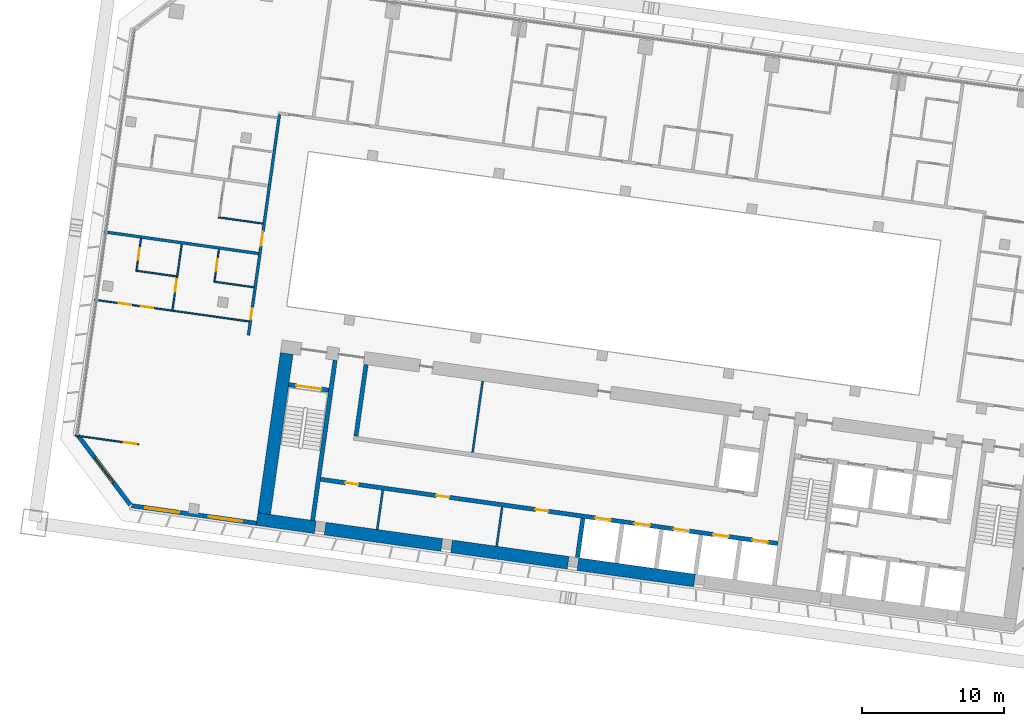
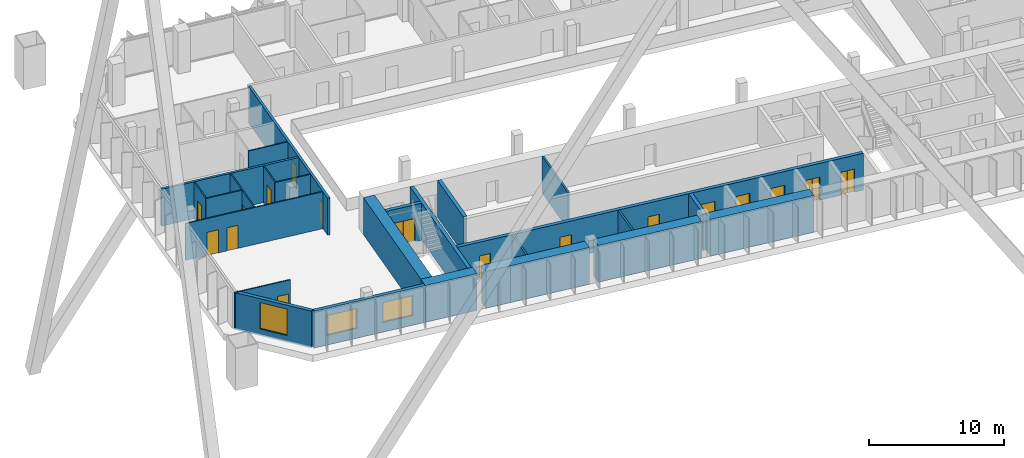
# One storey, part 38 of 49: 25 walls, 17 doors, 3 windows, 20 openings.
"""IFC4 building model written with IfcOpenShell, lengths in metres."""

from ifc_helpers import new_model, si_unit, direction, frame, frame_2d, origin, place, context, subcontext, project, spatial, rectangle, extrude, material, layer, layer_set, type_object, element, fill, save


model = new_model("IFC4")

# Units and contexts
model_context = context("Model", 3, precision=1e-05, world=origin(), true_north=direction((0.0, 1.0)))
body_context = subcontext(model_context, "Body", "Model", "MODEL_VIEW")
ifc_project = project(units=[si_unit("LENGTHUNIT", "METRE"), si_unit("AREAUNIT", "SQUARE_METRE"), si_unit("VOLUMEUNIT", "CUBIC_METRE"), si_unit("PLANEANGLEUNIT", "RADIAN"), si_unit("MASSUNIT", "GRAM", prefix="KILO")], contexts=[model_context])

# Site, building, storey
site_placement = place(None, origin())
site = spatial("IfcSite", under=ifc_project, at=site_placement, CompositionType="ELEMENT")
building_placement = place(site_placement, origin())
building = spatial("IfcBuilding", under=site, at=building_placement, Name="Mirante Cascada Hotel Towers", CompositionType="ELEMENT")
storey_placement = place(building_placement, frame((0.0, 0.0, 66.1)))
storey = spatial("IfcBuildingStorey", under=building, at=storey_placement, Name="L13", CompositionType="ELEMENT", Elevation=66.1)

# Wall
ifc_material_1 = material(Name="Fire-rated plasterboard on metal studs")
ifc_layer_1 = layer(ifc_material_1, 0.2)
ifc_layer_set_1 = layer_set([ifc_layer_1], Name="Compartment wall 200 EI 120")
wall_type_1 = type_object("IfcWallType", Name="Compartment wall 200 EI 120", PredefinedType="PARTITIONING", material=ifc_layer_set_1)
wall_1_placement = place(storey_placement, frame((-90.4064, 6.4896, 0.0), z_axis=(0.0, 0.0, 1.0), x_axis=(-0.990268, 0.1391733, 0.0)))
element("IfcWall", 1, at=wall_1_placement, inside=storey, type_object=wall_type_1, Name="Wall 1-L13-08", PredefinedType="PARTITIONING", context=body_context, shape_type="SweptSolid", body=[
    extrude(rectangle(XDim=11.0, YDim=0.2, at=frame_2d((5.5, 0.0))), origin(), (0.0, 0.0, 1.0), 3.35),
])

# Wall, openings, doors
wall_2_placement = place(storey_placement, frame((-88.9295, 16.2793, 0.0), z_axis=(0.0, 0.0, 1.0), x_axis=(-0.1391721, -0.9902682, 0.0)))
wall_2 = element("IfcWall", 2, at=wall_2_placement, inside=storey, type_object=wall_type_1, Name="Wall 1-L13-55", PredefinedType="PARTITIONING", context=body_context, shape_type="SweptSolid", body=[
    extrude(rectangle(XDim=15.7, YDim=0.2, at=frame_2d((7.85, 0.0))), origin(), (0.0, 0.0, 1.0), 3.35),
])
opening_1_placement = place(wall_2_placement, frame((13.7833, 0.0, 0.0)))
opening_1 = element("IfcOpeningElement", 3, at=opening_1_placement, cuts=wall_2, Name="Opening D1-L13-38", PredefinedType="OPENING", context=body_context, shape_type="SweptSolid", body=[
    extrude(rectangle(XDim=0.8, YDim=2.1, at=frame_2d((0.4, 1.05))), frame((0.0, 0.1, 0.0), z_axis=(0.0, -1.0, 0.0), x_axis=(1.0, 0.0, 0.0)), (0.0, 0.0, 1.0), 0.2),
])
opening_2_placement = place(wall_2_placement, frame((8.3333, 0.0, 0.0)))
opening_2 = element("IfcOpeningElement", 4, at=opening_2_placement, cuts=wall_2, Name="Opening D1-L13-39", PredefinedType="OPENING", context=body_context, shape_type="SweptSolid", body=[
    extrude(rectangle(XDim=1.0, YDim=2.1, at=frame_2d((0.5, 1.05))), frame((0.0, 0.1, 0.0), z_axis=(0.0, -1.0, 0.0), x_axis=(1.0, 0.0, 0.0)), (0.0, 0.0, 1.0), 0.2),
])
ifc_material_2 = material(Name="Fire-rated timber door leaf", Category="wood")
door_type_1 = type_object("IfcDoorType", Name="Bathroom door DG4 800x2100 EI 60", OperationType="SINGLE_SWING_LEFT", PredefinedType="DOOR", material=ifc_material_2)
door_1_placement = place(opening_1_placement, origin())
door_1 = element("IfcDoor", 5, at=door_1_placement, inside=storey, type_object=door_type_1, Name="Door D1-L13-38", OperationType="SINGLE_SWING_LEFT", OverallHeight=2.1, OverallWidth=0.8, PredefinedType="DOOR", context=body_context, shape_type="SweptSolid", body=[
    extrude(rectangle(XDim=0.8, YDim=2.1, at=frame_2d((0.4, 1.05))), frame((0.0, 0.025, 0.0), z_axis=(0.0, -1.0, 0.0), x_axis=(1.0, 0.0, 0.0)), (0.0, 0.0, 1.0), 0.05),
])
fill(opening_1, door_1)
ifc_material_3 = material(Name="Fire-rated timber door leaf", Category="wood")
door_type_2 = type_object("IfcDoorType", Name="Entrance door DG1 1000x2100 EI 60", OperationType="SINGLE_SWING_LEFT", PredefinedType="DOOR", material=ifc_material_3)
door_2_placement = place(opening_2_placement, frame((1.0, 0.0, 0.0), z_axis=(0.0, 0.0, 1.0), x_axis=(-1.0, 0.0, 0.0)))
door_2 = element("IfcDoor", 6, at=door_2_placement, inside=storey, type_object=door_type_2, Name="Door D1-L13-39", OperationType="SINGLE_SWING_RIGHT", OverallHeight=2.1, OverallWidth=1.0, PredefinedType="DOOR", context=body_context, shape_type="SweptSolid", body=[
    extrude(rectangle(XDim=1.0, YDim=2.1, at=frame_2d((0.5, 1.05))), frame((0.0, 0.025, 0.0), z_axis=(0.0, -1.0, 0.0), x_axis=(1.0, 0.0, 0.0)), (0.0, 0.0, 1.0), 0.05),
])
fill(opening_2, door_2)

# Walls
ifc_material_4 = material(Name="Masonry block", Category="masonry")
ifc_layer_2 = layer(ifc_material_4, 0.15)
ifc_layer_set_2 = layer_set([ifc_layer_2], Name="Core room partition 150 block EI 30")
wall_type_2 = type_object("IfcWallType", Name="Core room partition 150 block EI 30", PredefinedType="PARTITIONING", material=ifc_layer_set_2)
wall_3_placement = place(storey_placement, frame((-73.6152, -14.1482, 0.0), z_axis=(0.0, 0.0, 1.0), x_axis=(0.139176, 0.9902677, 0.0)))
element("IfcWall", 7, at=wall_3_placement, inside=storey, type_object=wall_type_2, Name="Core wall partition T1 L13 4", PredefinedType="PARTITIONING", context=body_context, shape_type="SweptSolid", body=[
    extrude(rectangle(XDim=2.8001, YDim=0.15, at=frame_2d((1.4, 0.0))), origin(), (0.0, 0.0, 1.0), 3.35),
])
wall_4_placement = place(storey_placement, frame((-82.0324, -12.9652, 0.0), z_axis=(0.0, 0.0, 1.0), x_axis=(0.139141, 0.9902726, 0.0)))
element("IfcWall", 8, at=wall_4_placement, inside=storey, type_object=wall_type_2, Name="Core wall partition T1 L13 5", PredefinedType="PARTITIONING", context=body_context, shape_type="SweptSolid", body=[
    extrude(rectangle(XDim=2.8, YDim=0.15, at=frame_2d((1.4, 0.0))), origin(), (0.0, 0.0, 1.0), 3.35),
])
wall_5_placement = place(storey_placement, frame((-75.3131, -7.5476, 0.0), z_axis=(0.0, 0.0, 1.0), x_axis=(0.1391782, 0.9902673, 0.0)))
element("IfcWall", 9, at=wall_5_placement, inside=storey, type_object=wall_type_2, Name="Core wall partition T1 L13 6", PredefinedType="PARTITIONING", context=body_context, shape_type="SweptSolid", body=[
    extrude(rectangle(XDim=5.0999, YDim=0.15, at=frame_2d((2.55, 0.0))), origin(), (0.0, 0.0, 1.0), 3.35),
])

# Wall, opening, door
ifc_material_5 = material(Name="Plasterboard on metal studs")
ifc_layer_3 = layer(ifc_material_5, 0.1)
ifc_layer_set_3 = layer_set([ifc_layer_3], Name="Partition 100")
wall_type_3 = type_object("IfcWallType", Name="Partition 100", PredefinedType="PARTITIONING", material=ifc_layer_set_3)
wall_6_placement = place(storey_placement, frame((-98.8611, -6.9647, 0.0), z_axis=(0.0, 0.0, 1.0), x_axis=(-0.9902674, 0.1391779, 0.0)))
wall_6 = element("IfcWall", 10, at=wall_6_placement, inside=storey, type_object=wall_type_3, Name="Wall 1-L13-02", PredefinedType="PARTITIONING", context=body_context, shape_type="SweptSolid", body=[
    extrude(rectangle(XDim=4.5, YDim=0.1, at=frame_2d((2.25, 0.0))), origin(), (0.0, 0.0, 1.0), 3.35),
])
opening_3_placement = place(wall_6_placement, frame((0.15, 0.0, 0.0)))
opening_3 = element("IfcOpeningElement", 11, at=opening_3_placement, cuts=wall_6, Name="Opening D1-L13-02", PredefinedType="OPENING", context=body_context, shape_type="SweptSolid", body=[
    extrude(rectangle(XDim=0.9, YDim=2.1, at=frame_2d((0.45, 1.05))), frame((0.0, 0.05, 0.0), z_axis=(0.0, -1.0, 0.0), x_axis=(1.0, 0.0, 0.0)), (0.0, 0.0, 1.0), 0.1),
])
ifc_material_6 = material(Name="Timber door leaf", Category="wood")
door_type_3 = type_object("IfcDoorType", Name="Room door DG3 900x2100", OperationType="SINGLE_SWING_LEFT", PredefinedType="DOOR", material=ifc_material_6)
door_3_placement = place(opening_3_placement, frame((0.9, 0.0, 0.0), z_axis=(0.0, 0.0, 1.0), x_axis=(-1.0, 0.0, 0.0)))
door_3 = element("IfcDoor", 12, at=door_3_placement, inside=storey, type_object=door_type_3, Name="Door D1-L13-02", OperationType="SINGLE_SWING_RIGHT", OverallHeight=2.1, OverallWidth=0.9, PredefinedType="DOOR", context=body_context, shape_type="SweptSolid", body=[
    extrude(rectangle(XDim=0.9, YDim=2.1, at=frame_2d((0.45, 1.05))), frame((0.0, 0.025, 0.0), z_axis=(0.0, -1.0, 0.0), x_axis=(1.0, 0.0, 0.0)), (0.0, 0.0, 1.0), 0.05),
])
fill(opening_3, door_3)

# Wall, openings, doors
wall_7_placement = place(storey_placement, frame((-101.972, 3.2342, 0.0), z_axis=(0.0, 0.0, 1.0), x_axis=(0.9902682, -0.1391721, 0.0)))
wall_7 = element("IfcWall", 13, at=wall_7_placement, inside=storey, type_object=wall_type_3, Name="Wall 1-L13-03", PredefinedType="PARTITIONING", context=body_context, shape_type="SweptSolid", body=[
    extrude(rectangle(XDim=11.0001, YDim=0.1, at=frame_2d((5.5, 0.0))), origin(), (0.0, 0.0, 1.0), 3.35),
])
opening_4_placement = place(wall_7_placement, frame((3.3, 0.0, 0.0)))
opening_4 = element("IfcOpeningElement", 14, at=opening_4_placement, cuts=wall_7, Name="Opening D1-L13-03", PredefinedType="OPENING", context=body_context, shape_type="SweptSolid", body=[
    extrude(rectangle(XDim=0.9, YDim=2.1, at=frame_2d((0.45, 1.05))), frame((0.0, 0.05, 0.0), z_axis=(0.0, -1.0, 0.0), x_axis=(1.0, 0.0, 0.0)), (0.0, 0.0, 1.0), 0.1),
])
opening_5_placement = place(wall_7_placement, frame((1.725, 0.0, 0.0)))
opening_5 = element("IfcOpeningElement", 15, at=opening_5_placement, cuts=wall_7, Name="Opening D1-L13-04", PredefinedType="OPENING", context=body_context, shape_type="SweptSolid", body=[
    extrude(rectangle(XDim=0.9, YDim=2.1, at=frame_2d((0.45, 1.05))), frame((0.0, 0.05, 0.0), z_axis=(0.0, -1.0, 0.0), x_axis=(1.0, 0.0, 0.0)), (0.0, 0.0, 1.0), 0.1),
])
door_4_placement = place(opening_4_placement, frame((0.9, 0.0, 0.0), z_axis=(0.0, 0.0, 1.0), x_axis=(-1.0, 0.0, 0.0)))
door_4 = element("IfcDoor", 16, at=door_4_placement, inside=storey, type_object=door_type_3, Name="Door D1-L13-03", OperationType="SINGLE_SWING_RIGHT", OverallHeight=2.1, OverallWidth=0.9, PredefinedType="DOOR", context=body_context, shape_type="SweptSolid", body=[
    extrude(rectangle(XDim=0.9, YDim=2.1, at=frame_2d((0.45, 1.05))), frame((0.0, 0.025, 0.0), z_axis=(0.0, -1.0, 0.0), x_axis=(1.0, 0.0, 0.0)), (0.0, 0.0, 1.0), 0.05),
])
fill(opening_4, door_4)
door_5_placement = place(opening_5_placement, frame((0.9, 0.0, 0.0), z_axis=(0.0, 0.0, 1.0), x_axis=(-1.0, 0.0, 0.0)))
door_5 = element("IfcDoor", 17, at=door_5_placement, inside=storey, type_object=door_type_3, Name="Door D1-L13-04", OperationType="SINGLE_SWING_RIGHT", OverallHeight=2.1, OverallWidth=0.9, PredefinedType="DOOR", context=body_context, shape_type="SweptSolid", body=[
    extrude(rectangle(XDim=0.9, YDim=2.1, at=frame_2d((0.45, 1.05))), frame((0.0, 0.025, 0.0), z_axis=(0.0, -1.0, 0.0), x_axis=(1.0, 0.0, 0.0)), (0.0, 0.0, 1.0), 0.05),
])
fill(opening_5, door_5)

# Walls
wall_8_placement = place(storey_placement, frame((-93.5626, 4.5096, 0.0), z_axis=(0.0, 0.0, 1.0), x_axis=(0.9902649, -0.1391957, 0.0)))
element("IfcWall", 18, at=wall_8_placement, inside=storey, type_object=wall_type_3, Name="Wall 1-L13-05", PredefinedType="PARTITIONING", context=body_context, shape_type="SweptSolid", body=[
    extrude(rectangle(XDim=2.8499, YDim=0.1, at=frame_2d((1.425, 0.0))), origin(), (0.0, 0.0, 1.0), 3.35),
])
wall_9_placement = place(storey_placement, frame((-96.1868, 4.8784, 0.0), z_axis=(0.0, 0.0, 1.0), x_axis=(-0.9902683, 0.1391714, 0.0)))
element("IfcWall", 19, at=wall_9_placement, inside=storey, type_object=wall_type_3, Name="Wall 1-L13-06", PredefinedType="PARTITIONING", context=body_context, shape_type="SweptSolid", body=[
    extrude(rectangle(XDim=2.9, YDim=0.1, at=frame_2d((1.45, 0.0))), origin(), (0.0, 0.0, 1.0), 3.35),
])
wall_10_placement = place(storey_placement, frame((-93.2288, 9.0405, 0.0), z_axis=(0.0, 0.0, 1.0), x_axis=(0.9902676, -0.1391765, 0.0)))
element("IfcWall", 20, at=wall_10_placement, inside=storey, type_object=wall_type_3, Name="Wall 1-L13-09", PredefinedType="PARTITIONING", context=body_context, shape_type="SweptSolid", body=[
    extrude(rectangle(XDim=3.15, YDim=0.1, at=frame_2d((1.575, 0.0))), origin(), (0.0, 0.0, 1.0), 3.35),
])

# Wall, opening, door
wall_11_placement = place(storey_placement, frame((-93.5062, 4.5521, 0.0), z_axis=(0.0, 0.0, 1.0), x_axis=(0.1391997, 0.9902643, 0.0)))
wall_11 = element("IfcWall", 21, at=wall_11_placement, inside=storey, type_object=wall_type_3, Name="Wall 1-L13-56", PredefinedType="PARTITIONING", context=body_context, shape_type="SweptSolid", body=[
    extrude(rectangle(XDim=2.25, YDim=0.1, at=frame_2d((1.125, 0.0))), origin(), (0.0, 0.0, 1.0), 3.35),
])
opening_6_placement = place(wall_11_placement, frame((0.75, 0.0, 0.0)))
opening_6 = element("IfcOpeningElement", 22, at=opening_6_placement, cuts=wall_11, Name="Opening D1-L13-40", PredefinedType="OPENING", context=body_context, shape_type="SweptSolid", body=[
    extrude(rectangle(XDim=0.8, YDim=2.1, at=frame_2d((0.4, 1.05))), frame((0.0, 0.05, 0.0), z_axis=(0.0, -1.0, 0.0), x_axis=(1.0, 0.0, 0.0)), (0.0, 0.0, 1.0), 0.1),
])
ifc_material_7 = material(Name="Timber door leaf", Category="wood")
door_type_4 = type_object("IfcDoorType", Name="Bathroom door DG4 800x2100", OperationType="SINGLE_SWING_LEFT", PredefinedType="DOOR", material=ifc_material_7)
door_6_placement = place(opening_6_placement, frame((0.8, 0.0, 0.0), z_axis=(0.0, 0.0, 1.0), x_axis=(-1.0, 0.0, 0.0)))
door_6 = element("IfcDoor", 23, at=door_6_placement, inside=storey, type_object=door_type_4, Name="Door D1-L13-40", OperationType="SINGLE_SWING_RIGHT", OverallHeight=2.1, OverallWidth=0.8, PredefinedType="DOOR", context=body_context, shape_type="SweptSolid", body=[
    extrude(rectangle(XDim=0.8, YDim=2.1, at=frame_2d((0.4, 1.05))), frame((0.0, 0.025, 0.0), z_axis=(0.0, -1.0, 0.0), x_axis=(1.0, 0.0, 0.0)), (0.0, 0.0, 1.0), 0.05),
])
fill(opening_6, door_6)

wall_12_placement = place(storey_placement, frame((-95.8172, 7.149, 0.0), z_axis=(0.0, 0.0, 1.0), x_axis=(-0.139176, -0.9902677, 0.0)))
wall_12 = element("IfcWall", 24, at=wall_12_placement, inside=storey, type_object=wall_type_3, Name="Wall 1-L13-59", PredefinedType="PARTITIONING", context=body_context, shape_type="SweptSolid", body=[
    extrude(rectangle(XDim=4.6833, YDim=0.1, at=frame_2d((2.3416, 0.0))), origin(), (0.0, 0.0, 1.0), 3.35),
])
opening_7_placement = place(wall_12_placement, frame((2.4833, 0.0, 0.0)))
opening_7 = element("IfcOpeningElement", 25, at=opening_7_placement, cuts=wall_12, Name="Opening D1-L13-43", PredefinedType="OPENING", context=body_context, shape_type="SweptSolid", body=[
    extrude(rectangle(XDim=0.9, YDim=2.1, at=frame_2d((0.45, 1.05))), frame((0.0, 0.05, 0.0), z_axis=(0.0, -1.0, 0.0), x_axis=(1.0, 0.0, 0.0)), (0.0, 0.0, 1.0), 0.1),
])
door_7_placement = place(opening_7_placement, origin())
door_7 = element("IfcDoor", 26, at=door_7_placement, inside=storey, type_object=door_type_3, Name="Door D1-L13-43", OperationType="SINGLE_SWING_LEFT", OverallHeight=2.1, OverallWidth=0.9, PredefinedType="DOOR", context=body_context, shape_type="SweptSolid", body=[
    extrude(rectangle(XDim=0.9, YDim=2.1, at=frame_2d((0.45, 1.05))), frame((0.0, 0.025, 0.0), z_axis=(0.0, -1.0, 0.0), x_axis=(1.0, 0.0, 0.0)), (0.0, 0.0, 1.0), 0.05),
])
fill(opening_7, door_7)

wall_13_placement = place(storey_placement, frame((-98.689, 7.5526, 0.0), z_axis=(0.0, 0.0, 1.0), x_axis=(-0.1391561, -0.9902705, 0.0)))
wall_13 = element("IfcWall", 27, at=wall_13_placement, inside=storey, type_object=wall_type_3, Name="Wall 1-L13-61", PredefinedType="PARTITIONING", context=body_context, shape_type="SweptSolid", body=[
    extrude(rectangle(XDim=2.25, YDim=0.1, at=frame_2d((1.125, 0.0))), origin(), (0.0, 0.0, 1.0), 3.35),
])
opening_8_placement = place(wall_13_placement, frame((0.7, 0.0, 0.0)))
opening_8 = element("IfcOpeningElement", 28, at=opening_8_placement, cuts=wall_13, Name="Opening D1-L13-44", PredefinedType="OPENING", context=body_context, shape_type="SweptSolid", body=[
    extrude(rectangle(XDim=0.8, YDim=2.1, at=frame_2d((0.4, 1.05))), frame((0.0, 0.05, 0.0), z_axis=(0.0, -1.0, 0.0), x_axis=(1.0, 0.0, 0.0)), (0.0, 0.0, 1.0), 0.1),
])
door_8_placement = place(opening_8_placement, origin())
door_8 = element("IfcDoor", 29, at=door_8_placement, inside=storey, type_object=door_type_4, Name="Door D1-L13-44", OperationType="SINGLE_SWING_LEFT", OverallHeight=2.1, OverallWidth=0.8, PredefinedType="DOOR", context=body_context, shape_type="SweptSolid", body=[
    extrude(rectangle(XDim=0.8, YDim=2.1, at=frame_2d((0.4, 1.05))), frame((0.0, 0.025, 0.0), z_axis=(0.0, -1.0, 0.0), x_axis=(1.0, 0.0, 0.0)), (0.0, 0.0, 1.0), 0.05),
])
fill(opening_8, door_8)

# Wall, openings, windows
ifc_material_8 = material(Name="Precast concrete C40/50", Category="concrete")
ifc_layer_4 = layer(ifc_material_8, 0.3)
ifc_layer_set_4 = layer_set([ifc_layer_4], Name="Precast concrete C40/50 cladding wall 300")
wall_type_4 = type_object("IfcWallType", Name="Precast concrete C40/50 cladding wall 300", PredefinedType="STANDARD", material=ifc_layer_set_4)
wall_14_placement = place(storey_placement, frame((-90.5541, -12.5249, 0.0), z_axis=(0.0, 0.0, 1.0), x_axis=(-0.9902678, 0.1391749, 0.0)))
wall_14 = element("IfcWall", 30, at=wall_14_placement, inside=storey, type_object=wall_type_4, Name="Rear cladding wall T1 L13 1", PredefinedType="STANDARD", context=body_context, shape_type="SweptSolid", body=[
    extrude(rectangle(XDim=8.8759, YDim=0.3, at=frame_2d((4.438, 0.0))), origin(), (0.0, 0.0, 1.0), 3.35),
])
opening_9_placement = place(wall_14_placement, frame((1.0012, 0.0, 0.9)))
opening_9 = element("IfcOpeningElement", 31, at=opening_9_placement, cuts=wall_14, Name="Opening W1-13-01", PredefinedType="OPENING", context=body_context, shape_type="SweptSolid", body=[
    extrude(rectangle(XDim=2.4, YDim=1.8, at=frame_2d((1.2, 0.9))), frame((0.0, 0.15, 0.0), z_axis=(0.0, -1.0, 0.0), x_axis=(1.0, 0.0, 0.0)), (0.0, 0.0, 1.0), 0.3),
])
opening_10_placement = place(wall_14_placement, frame((5.4923, 0.0, 0.9)))
opening_10 = element("IfcOpeningElement", 32, at=opening_10_placement, cuts=wall_14, Name="Opening W1-13-02", PredefinedType="OPENING", context=body_context, shape_type="SweptSolid", body=[
    extrude(rectangle(XDim=2.4, YDim=1.8, at=frame_2d((1.2, 0.9))), frame((0.0, 0.15, 0.0), z_axis=(0.0, -1.0, 0.0), x_axis=(1.0, 0.0, 0.0)), (0.0, 0.0, 1.0), 0.3),
])
ifc_material_9 = material(Name="Aluminium frame with clear double glazing", Category="aluminium")
window_type_1 = type_object("IfcWindowType", Name="Punched window 2400x1800", PartitioningType="DOUBLE_PANEL_VERTICAL", PredefinedType="WINDOW", material=ifc_material_9)
window_1_placement = place(opening_9_placement, origin())
window_1 = element("IfcWindow", 33, at=window_1_placement, inside=storey, type_object=window_type_1, Name="Window W1-13-01", OverallHeight=1.8, OverallWidth=2.4, PartitioningType="SINGLE_PANEL", PredefinedType="WINDOW", context=body_context, shape_type="SweptSolid", body=[
    extrude(rectangle(XDim=2.4, YDim=1.8, at=frame_2d((1.2, 0.9))), frame((0.0, 0.03, 0.0), z_axis=(0.0, -1.0, 0.0), x_axis=(1.0, 0.0, 0.0)), (0.0, 0.0, 1.0), 0.06),
])
fill(opening_9, window_1)
window_2_placement = place(opening_10_placement, origin())
window_2 = element("IfcWindow", 34, at=window_2_placement, inside=storey, type_object=window_type_1, Name="Window W1-13-02", OverallHeight=1.8, OverallWidth=2.4, PartitioningType="SINGLE_PANEL", PredefinedType="WINDOW", context=body_context, shape_type="SweptSolid", body=[
    extrude(rectangle(XDim=2.4, YDim=1.8, at=frame_2d((1.2, 0.9))), frame((0.0, 0.03, 0.0), z_axis=(0.0, -1.0, 0.0), x_axis=(1.0, 0.0, 0.0)), (0.0, 0.0, 1.0), 0.06),
])
fill(opening_10, window_2)

# Wall, opening, window
wall_15_placement = place(storey_placement, frame((-99.4423, -11.2315, 0.0), z_axis=(0.0, 0.0, 1.0), x_axis=(-0.6018141, 0.7986362, 0.0)))
wall_15 = element("IfcWall", 35, at=wall_15_placement, inside=storey, type_object=wall_type_4, Name="Corner cladding wall T1 L13 rear outer", PredefinedType="STANDARD", context=body_context, shape_type="SweptSolid", body=[
    extrude(rectangle(XDim=6.1157, YDim=0.3, at=frame_2d((3.0578, 0.0))), origin(), (0.0, 0.0, 1.0), 3.35),
])
opening_11_placement = place(wall_15_placement, frame((1.9578, 0.0, 0.6)))
opening_11 = element("IfcOpeningElement", 36, at=opening_11_placement, cuts=wall_15, Name="Opening W1-13-03", PredefinedType="OPENING", context=body_context, shape_type="SweptSolid", body=[
    extrude(rectangle(XDim=2.2, YDim=2.4, at=frame_2d((1.1, 1.2))), frame((0.0, 0.15, 0.0), z_axis=(0.0, -1.0, 0.0), x_axis=(1.0, 0.0, 0.0)), (0.0, 0.0, 1.0), 0.3),
])
ifc_material_10 = material(Name="Aluminium frame with clear double glazing", Category="aluminium")
window_type_2 = type_object("IfcWindowType", Name="Corner suite window 2200x2400", PartitioningType="DOUBLE_PANEL_VERTICAL", PredefinedType="WINDOW", material=ifc_material_10)
window_3_placement = place(opening_11_placement, origin())
window_3 = element("IfcWindow", 37, at=window_3_placement, inside=storey, type_object=window_type_2, Name="Window W1-13-03", OverallHeight=2.4, OverallWidth=2.2, PartitioningType="SINGLE_PANEL", PredefinedType="WINDOW", context=body_context, shape_type="SweptSolid", body=[
    extrude(rectangle(XDim=2.2, YDim=2.4, at=frame_2d((1.1, 1.2))), frame((0.0, 0.03, 0.0), z_axis=(0.0, -1.0, 0.0), x_axis=(1.0, 0.0, 0.0)), (0.0, 0.0, 1.0), 0.06),
])
fill(opening_11, window_3)

# Wall
ifc_material_11 = material(Name="Concrete C50/60", Category="concrete")
ifc_layer_5 = layer(ifc_material_11, 0.3)
ifc_layer_set_5 = layer_set([ifc_layer_5], Name="RC core wall 300 C50/60")
wall_type_5 = type_object("IfcWallType", Name="RC core wall 300 C50/60", PredefinedType="SHEAR", material=ifc_layer_set_5)
wall_16_placement = place(storey_placement, frame((-86.5877, -12.325, 0.0), z_axis=(0.0, 0.0, 1.0), x_axis=(0.1391749, 0.9902678, 0.0)))
element("IfcWall", 38, at=wall_16_placement, inside=storey, type_object=wall_type_5, Name="Core wall T1:L13:8", PredefinedType="SHEAR", context=body_context, shape_type="SweptSolid", body=[
    extrude(rectangle(XDim=11.4, YDim=0.3, at=frame_2d((5.7, 0.0))), origin(), (0.0, 0.0, 1.0), 3.35),
])

# Wall, opening, door
wall_17_placement = place(storey_placement, frame((-85.4489, -3.1441, 0.0), z_axis=(0.0, 0.0, 1.0), x_axis=(-0.9902697, 0.1391613, 0.0)))
wall_17 = element("IfcWall", 39, at=wall_17_placement, inside=storey, type_object=wall_type_5, Name="Core wall T1:L13:11", PredefinedType="SHEAR", context=body_context, shape_type="SweptSolid", body=[
    extrude(rectangle(XDim=2.8499, YDim=0.3, at=frame_2d((1.425, 0.0))), origin(), (0.0, 0.0, 1.0), 3.35),
])
opening_12_placement = place(wall_17_placement, frame((0.525, 0.0, 0.0)))
opening_12 = element("IfcOpeningElement", 40, at=opening_12_placement, cuts=wall_17, Name="Opening D1-13-C17", PredefinedType="OPENING", context=body_context, shape_type="SweptSolid", body=[
    extrude(rectangle(XDim=1.8, YDim=2.1, at=frame_2d((0.9, 1.05))), frame((0.0, 0.15, 0.0), z_axis=(0.0, -1.0, 0.0), x_axis=(1.0, 0.0, 0.0)), (0.0, 0.0, 1.0), 0.3),
])
ifc_material_12 = material(Name="Hollow metal fire door leaf")
door_type_5 = type_object("IfcDoorType", Name="Double fire door 1800x2100 FD60", OperationType="DOUBLE_DOOR_SINGLE_SWING", PredefinedType="DOOR", material=ifc_material_12)
door_9_placement = place(opening_12_placement, origin())
door_9 = element("IfcDoor", 41, at=door_9_placement, inside=storey, type_object=door_type_5, Name="Stair door T1 L13 17", OperationType="DOUBLE_DOOR_SINGLE_SWING", OverallHeight=2.1, OverallWidth=1.8, PredefinedType="DOOR", context=body_context, shape_type="SweptSolid", body=[
    extrude(rectangle(XDim=0.895, YDim=2.1, at=frame_2d((0.4475, 1.05))), frame((0.0, 0.025, 0.0), z_axis=(0.0, -1.0, 0.0), x_axis=(1.0, 0.0, 0.0)), (0.0, 0.0, 1.0), 0.05),
    extrude(rectangle(XDim=0.895, YDim=2.1, at=frame_2d((1.3525, 1.05))), frame((0.0, 0.025, 0.0), z_axis=(0.0, -1.0, 0.0), x_axis=(1.0, 0.0, 0.0)), (0.0, 0.0, 1.0), 0.05),
])
fill(opening_12, door_9)

# Wall, openings, doors
wall_18_placement = place(storey_placement, frame((-53.7953, -13.9547, 0.0), z_axis=(0.0, 0.0, 1.0), x_axis=(-0.990268, 0.1391733, 0.0)))
wall_18 = element("IfcWall", 42, at=wall_18_placement, inside=storey, type_object=wall_type_5, Name="Core wall T1:L13:24", PredefinedType="SHEAR", context=body_context, shape_type="SweptSolid", body=[
    extrude(rectangle(XDim=32.5501, YDim=0.3, at=frame_2d((16.275, 0.0))), origin(), (0.0, 0.0, 1.0), 3.35),
])
opening_13_placement = place(wall_18_placement, frame((0.7, 0.0, 0.0)))
opening_13 = element("IfcOpeningElement", 43, at=opening_13_placement, cuts=wall_18, Name="Opening LD", PredefinedType="OPENING", context=body_context, shape_type="SweptSolid", body=[
    extrude(rectangle(XDim=1.1, YDim=2.1, at=frame_2d((0.55, 1.05))), frame((0.0, 0.15, 0.0), z_axis=(0.0, -1.0, 0.0), x_axis=(1.0, 0.0, 0.0)), (0.0, 0.0, 1.0), 0.3),
])
opening_14_placement = place(wall_18_placement, frame((3.5, 0.0, 0.0)))
opening_14 = element("IfcOpeningElement", 44, at=opening_14_placement, cuts=wall_18, Name="Opening LD", PredefinedType="OPENING", context=body_context, shape_type="SweptSolid", body=[
    extrude(rectangle(XDim=1.1, YDim=2.1, at=frame_2d((0.55, 1.05))), frame((0.0, 0.15, 0.0), z_axis=(0.0, -1.0, 0.0), x_axis=(1.0, 0.0, 0.0)), (0.0, 0.0, 1.0), 0.3),
])
opening_15_placement = place(wall_18_placement, frame((6.3, 0.0, 0.0)))
opening_15 = element("IfcOpeningElement", 45, at=opening_15_placement, cuts=wall_18, Name="Opening LD", PredefinedType="OPENING", context=body_context, shape_type="SweptSolid", body=[
    extrude(rectangle(XDim=1.1, YDim=2.1, at=frame_2d((0.55, 1.05))), frame((0.0, 0.15, 0.0), z_axis=(0.0, -1.0, 0.0), x_axis=(1.0, 0.0, 0.0)), (0.0, 0.0, 1.0), 0.3),
])
opening_16_placement = place(wall_18_placement, frame((9.1, 0.0, 0.0)))
opening_16 = element("IfcOpeningElement", 46, at=opening_16_placement, cuts=wall_18, Name="Opening LD", PredefinedType="OPENING", context=body_context, shape_type="SweptSolid", body=[
    extrude(rectangle(XDim=1.1, YDim=2.1, at=frame_2d((0.55, 1.05))), frame((0.0, 0.15, 0.0), z_axis=(0.0, -1.0, 0.0), x_axis=(1.0, 0.0, 0.0)), (0.0, 0.0, 1.0), 0.3),
])
opening_17_placement = place(wall_18_placement, frame((11.9, 0.0, 0.0)))
opening_17 = element("IfcOpeningElement", 47, at=opening_17_placement, cuts=wall_18, Name="Opening LD", PredefinedType="OPENING", context=body_context, shape_type="SweptSolid", body=[
    extrude(rectangle(XDim=1.1, YDim=2.1, at=frame_2d((0.55, 1.05))), frame((0.0, 0.15, 0.0), z_axis=(0.0, -1.0, 0.0), x_axis=(1.0, 0.0, 0.0)), (0.0, 0.0, 1.0), 0.3),
])
opening_18_placement = place(wall_18_placement, frame((16.35, 0.0, 0.0)))
opening_18 = element("IfcOpeningElement", 48, at=opening_18_placement, cuts=wall_18, Name="Opening D1-13-C25", PredefinedType="OPENING", context=body_context, shape_type="SweptSolid", body=[
    extrude(rectangle(XDim=0.9, YDim=2.1, at=frame_2d((0.45, 1.05))), frame((0.0, 0.15, 0.0), z_axis=(0.0, -1.0, 0.0), x_axis=(1.0, 0.0, 0.0)), (0.0, 0.0, 1.0), 0.3),
])
opening_19_placement = place(wall_18_placement, frame((23.4, 0.0, 0.0)))
opening_19 = element("IfcOpeningElement", 49, at=opening_19_placement, cuts=wall_18, Name="Opening D1-13-C26", PredefinedType="OPENING", context=body_context, shape_type="SweptSolid", body=[
    extrude(rectangle(XDim=0.9, YDim=2.1, at=frame_2d((0.45, 1.05))), frame((0.0, 0.15, 0.0), z_axis=(0.0, -1.0, 0.0), x_axis=(1.0, 0.0, 0.0)), (0.0, 0.0, 1.0), 0.3),
])
opening_20_placement = place(wall_18_placement, frame((29.875, 0.0, 0.0)))
opening_20 = element("IfcOpeningElement", 50, at=opening_20_placement, cuts=wall_18, Name="Opening D1-13-C27", PredefinedType="OPENING", context=body_context, shape_type="SweptSolid", body=[
    extrude(rectangle(XDim=0.9, YDim=2.1, at=frame_2d((0.45, 1.05))), frame((0.0, 0.15, 0.0), z_axis=(0.0, -1.0, 0.0), x_axis=(1.0, 0.0, 0.0)), (0.0, 0.0, 1.0), 0.3),
])
ifc_material_13 = material(Name="Hollow metal fire door leaf")
door_type_6 = type_object("IfcDoorType", Name="Fire door 900x2100 FD60", OperationType="NOTDEFINED", PredefinedType="DOOR", material=ifc_material_13)
door_10_placement = place(opening_18_placement, origin())
door_10 = element("IfcDoor", 51, at=door_10_placement, inside=storey, type_object=door_type_6, Name="Room door T1 L13 25", OperationType="SINGLE_SWING_LEFT", OverallHeight=2.1, OverallWidth=0.9, PredefinedType="DOOR", context=body_context, shape_type="SweptSolid", body=[
    extrude(rectangle(XDim=0.9, YDim=2.1, at=frame_2d((0.45, 1.05))), frame((0.0, 0.025, 0.0), z_axis=(0.0, -1.0, 0.0), x_axis=(1.0, 0.0, 0.0)), (0.0, 0.0, 1.0), 0.05),
])
fill(opening_18, door_10)
door_11_placement = place(opening_19_placement, origin())
door_11 = element("IfcDoor", 52, at=door_11_placement, inside=storey, type_object=door_type_6, Name="Room door T1 L13 26", OperationType="SINGLE_SWING_LEFT", OverallHeight=2.1, OverallWidth=0.9, PredefinedType="DOOR", context=body_context, shape_type="SweptSolid", body=[
    extrude(rectangle(XDim=0.9, YDim=2.1, at=frame_2d((0.45, 1.05))), frame((0.0, 0.025, 0.0), z_axis=(0.0, -1.0, 0.0), x_axis=(1.0, 0.0, 0.0)), (0.0, 0.0, 1.0), 0.05),
])
fill(opening_19, door_11)
door_12_placement = place(opening_20_placement, origin())
door_12 = element("IfcDoor", 53, at=door_12_placement, inside=storey, type_object=door_type_6, Name="Room door T1 L13 27", OperationType="SINGLE_SWING_LEFT", OverallHeight=2.1, OverallWidth=0.9, PredefinedType="DOOR", context=body_context, shape_type="SweptSolid", body=[
    extrude(rectangle(XDim=0.9, YDim=2.1, at=frame_2d((0.45, 1.05))), frame((0.0, 0.025, 0.0), z_axis=(0.0, -1.0, 0.0), x_axis=(1.0, 0.0, 0.0)), (0.0, 0.0, 1.0), 0.05),
])
fill(opening_20, door_12)
ifc_material_14 = material(Name="Stainless steel", Category="steel")
door_type_7 = type_object("IfcDoorType", Name="Lift landing door 1100x2100 EI 120", OperationType="DOUBLE_DOOR_SLIDING", PredefinedType="DOOR", material=ifc_material_14)
door_13_placement = place(opening_13_placement, origin())
door_13 = element("IfcDoor", 54, at=door_13_placement, inside=storey, type_object=door_type_7, Name="Lift landing door LR1-1 L13", OperationType="DOUBLE_DOOR_SLIDING", OverallHeight=2.1, OverallWidth=1.1, PredefinedType="DOOR", context=body_context, shape_type="SweptSolid", body=[
    extrude(rectangle(XDim=0.545, YDim=2.1, at=frame_2d((0.2725, 1.05))), frame((0.0, 0.025, 0.0), z_axis=(0.0, -1.0, 0.0), x_axis=(1.0, 0.0, 0.0)), (0.0, 0.0, 1.0), 0.05),
    extrude(rectangle(XDim=0.545, YDim=2.1, at=frame_2d((0.8275, 1.05))), frame((0.0, 0.025, 0.0), z_axis=(0.0, -1.0, 0.0), x_axis=(1.0, 0.0, 0.0)), (0.0, 0.0, 1.0), 0.05),
])
fill(opening_13, door_13)
door_14_placement = place(opening_14_placement, origin())
door_14 = element("IfcDoor", 55, at=door_14_placement, inside=storey, type_object=door_type_7, Name="Lift landing door LR1-2 L13", OperationType="DOUBLE_DOOR_SLIDING", OverallHeight=2.1, OverallWidth=1.1, PredefinedType="DOOR", context=body_context, shape_type="SweptSolid", body=[
    extrude(rectangle(XDim=0.545, YDim=2.1, at=frame_2d((0.2725, 1.05))), frame((0.0, 0.025, 0.0), z_axis=(0.0, -1.0, 0.0), x_axis=(1.0, 0.0, 0.0)), (0.0, 0.0, 1.0), 0.05),
    extrude(rectangle(XDim=0.545, YDim=2.1, at=frame_2d((0.8275, 1.05))), frame((0.0, 0.025, 0.0), z_axis=(0.0, -1.0, 0.0), x_axis=(1.0, 0.0, 0.0)), (0.0, 0.0, 1.0), 0.05),
])
fill(opening_14, door_14)
door_15_placement = place(opening_15_placement, origin())
door_15 = element("IfcDoor", 56, at=door_15_placement, inside=storey, type_object=door_type_7, Name="Lift landing door SV1-1 L13", OperationType="DOUBLE_DOOR_SLIDING", OverallHeight=2.1, OverallWidth=1.1, PredefinedType="DOOR", context=body_context, shape_type="SweptSolid", body=[
    extrude(rectangle(XDim=0.545, YDim=2.1, at=frame_2d((0.2725, 1.05))), frame((0.0, 0.025, 0.0), z_axis=(0.0, -1.0, 0.0), x_axis=(1.0, 0.0, 0.0)), (0.0, 0.0, 1.0), 0.05),
    extrude(rectangle(XDim=0.545, YDim=2.1, at=frame_2d((0.8275, 1.05))), frame((0.0, 0.025, 0.0), z_axis=(0.0, -1.0, 0.0), x_axis=(1.0, 0.0, 0.0)), (0.0, 0.0, 1.0), 0.05),
])
fill(opening_15, door_15)
door_16_placement = place(opening_16_placement, origin())
door_16 = element("IfcDoor", 57, at=door_16_placement, inside=storey, type_object=door_type_7, Name="Lift landing door SV1-2 L13", OperationType="DOUBLE_DOOR_SLIDING", OverallHeight=2.1, OverallWidth=1.1, PredefinedType="DOOR", context=body_context, shape_type="SweptSolid", body=[
    extrude(rectangle(XDim=0.545, YDim=2.1, at=frame_2d((0.2725, 1.05))), frame((0.0, 0.025, 0.0), z_axis=(0.0, -1.0, 0.0), x_axis=(1.0, 0.0, 0.0)), (0.0, 0.0, 1.0), 0.05),
    extrude(rectangle(XDim=0.545, YDim=2.1, at=frame_2d((0.8275, 1.05))), frame((0.0, 0.025, 0.0), z_axis=(0.0, -1.0, 0.0), x_axis=(1.0, 0.0, 0.0)), (0.0, 0.0, 1.0), 0.05),
])
fill(opening_16, door_16)
door_17_placement = place(opening_17_placement, origin())
door_17 = element("IfcDoor", 58, at=door_17_placement, inside=storey, type_object=door_type_7, Name="Lift landing door SV1-3 L13", OperationType="DOUBLE_DOOR_SLIDING", OverallHeight=2.1, OverallWidth=1.1, PredefinedType="DOOR", context=body_context, shape_type="SweptSolid", body=[
    extrude(rectangle(XDim=0.545, YDim=2.1, at=frame_2d((0.2725, 1.05))), frame((0.0, 0.025, 0.0), z_axis=(0.0, -1.0, 0.0), x_axis=(1.0, 0.0, 0.0)), (0.0, 0.0, 1.0), 0.05),
    extrude(rectangle(XDim=0.545, YDim=2.1, at=frame_2d((0.8275, 1.05))), frame((0.0, 0.025, 0.0), z_axis=(0.0, -1.0, 0.0), x_axis=(1.0, 0.0, 0.0)), (0.0, 0.0, 1.0), 0.05),
])
fill(opening_17, door_17)

# Walls
wall_19_placement = place(storey_placement, frame((-67.9211, -14.9484, 0.0), z_axis=(0.0, 0.0, 1.0), x_axis=(0.139181, 0.990267, 0.0)))
element("IfcWall", 59, at=wall_19_placement, inside=storey, type_object=wall_type_5, Name="Core wall T1:L13:29", PredefinedType="SHEAR", context=body_context, shape_type="SweptSolid", body=[
    extrude(rectangle(XDim=2.8, YDim=0.3, at=frame_2d((1.4, 0.0))), origin(), (0.0, 0.0, 1.0), 3.35),
])
wall_20_placement = place(storey_placement, frame((-83.5323, -6.3925, 0.0), z_axis=(0.0, 0.0, 1.0), x_axis=(0.1391755, 0.9902677, 0.0)))
element("IfcWall", 60, at=wall_20_placement, inside=storey, type_object=wall_type_5, Name="Core wall T1:L13:34", PredefinedType="SHEAR", context=body_context, shape_type="SweptSolid", body=[
    extrude(rectangle(XDim=5.1, YDim=0.3, at=frame_2d((2.55, 0.0))), origin(), (0.0, 0.0, 1.0), 3.35),
])
ifc_material_15 = material(Name="Concrete C50/60", Category="concrete")
ifc_layer_6 = layer(ifc_material_15, 0.9)
ifc_layer_set_6 = layer_set([ifc_layer_6], Name="RC core wall 900 C50/60")
wall_type_6 = type_object("IfcWallType", Name="RC core wall 900 C50/60", PredefinedType="SHEAR", material=ifc_layer_set_6)
for number, where, z_axis, x_axis, name in (
    (61, (-59.6655, -16.5631, 0.0), (0.0, 0.0, 1.0), (-0.9902686, 0.1391692, 0.0), "Core wall T1:L13:1.4"),
    (62, (-68.5779, -15.3105, 0.0), (0.0, 0.0, 1.0), (-0.9902686, 0.1391692, 0.0), "Core wall T1:L13:1.5"),
    (63, (-77.4903, -14.058, 0.0), (0.0, 0.0, 1.0), (-0.990267, 0.139181, 0.0), "Core wall T1:L13:1.6"),
):
    element("IfcWall", number, at=place(storey_placement, frame(where, z_axis=z_axis, x_axis=x_axis)), inside=storey, type_object=wall_type_6, Name=name, PredefinedType="SHEAR", context=body_context, shape_type="SweptSolid", body=[
        extrude(rectangle(XDim=8.3, YDim=0.9, at=frame_2d((4.15, 0.0))), origin(), (0.0, 0.0, 1.0), 3.35),
    ])
wall_21_placement = place(storey_placement, frame((-86.4027, -12.8054, 0.0), z_axis=(0.0, 0.0, 1.0), x_axis=(-0.990267, 0.139181, 0.0)))
element("IfcWall", 64, at=wall_21_placement, inside=storey, type_object=wall_type_6, Name="Core wall T1:L13:1.7", PredefinedType="SHEAR", context=body_context, shape_type="SweptSolid", body=[
    extrude(rectangle(XDim=4.15, YDim=0.9, at=frame_2d((2.075, 0.0))), origin(), (0.0, 0.0, 1.0), 3.35),
])
wall_22_placement = place(storey_placement, frame((-90.0041, -11.8449, 0.0), z_axis=(0.0, 0.0, 1.0), x_axis=(0.1391749, 0.9902678, 0.0)))
element("IfcWall", 65, at=wall_22_placement, inside=storey, type_object=wall_type_6, Name="Core wall T1:L13:4", PredefinedType="SHEAR", context=body_context, shape_type="SweptSolid", body=[
    extrude(rectangle(XDim=11.4, YDim=0.9, at=frame_2d((5.7, 0.0))), origin(), (0.0, 0.0, 1.0), 3.35),
])

save(model, "model.ifc")
